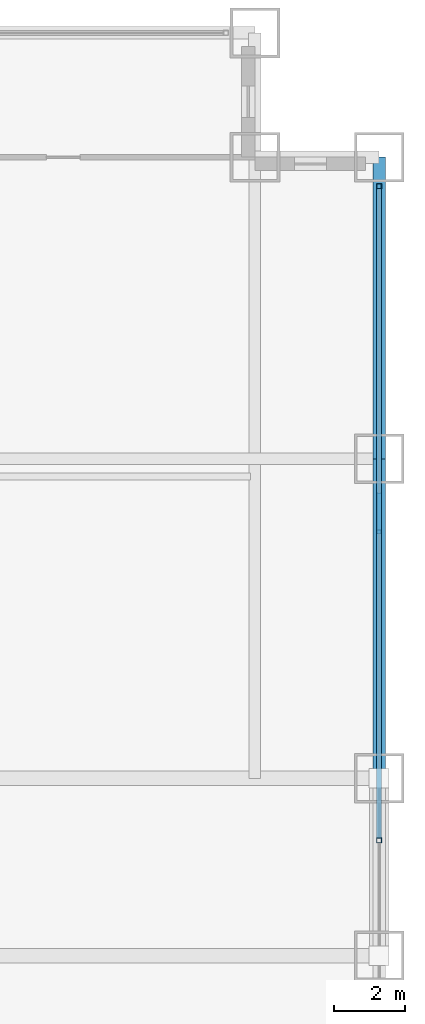
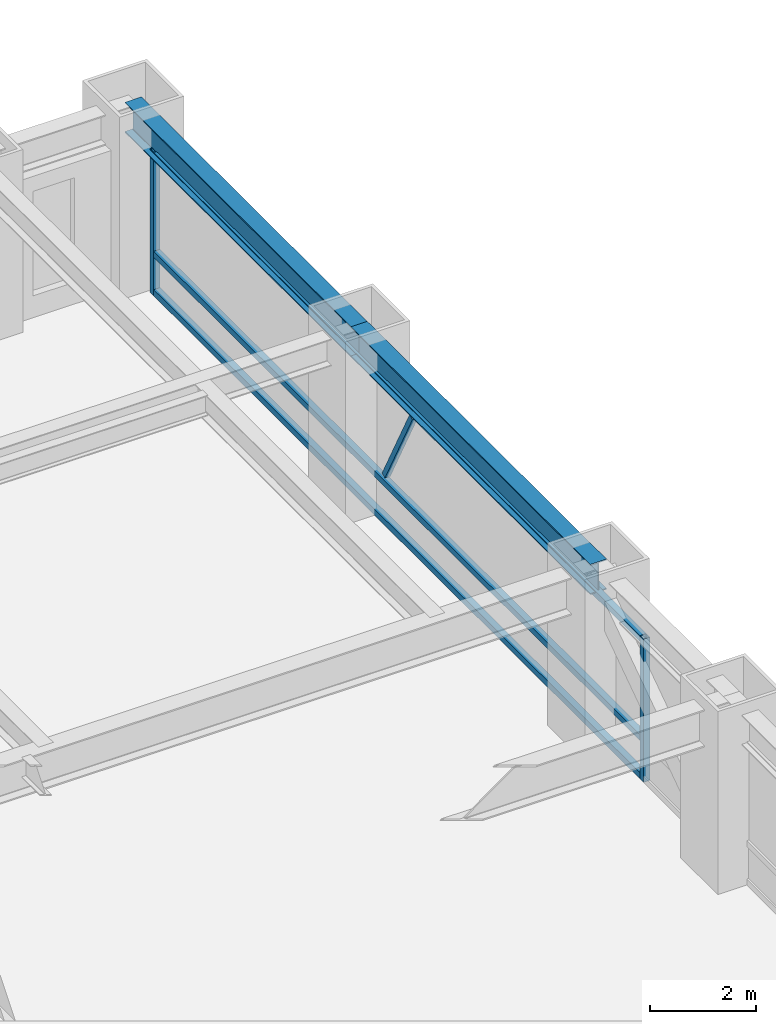
# One storey, part 18 of 28: 6 members, 2 beams, 1 element without a shape of its own.
"""IFC4 building model written with IfcOpenShell, lengths in metres."""

from ifc_helpers import new_model, si_unit, direction, frame, origin, origin_2d, place, context, subcontext, project, spatial, hollow_rectangle, i_section, extrude, source, transform, mapped, material, material_profile, profile_set, type_object, element, aggregate, save


model = new_model("IFC4")

# Units and contexts
model_context = context("Model", 3, precision=1e-05, world=origin(), true_north=direction((0.0, 1.0)))
body_context = subcontext(model_context, "Body", "Model", "MODEL_VIEW")
ifc_project = project(units=[si_unit("LENGTHUNIT", "METRE"), si_unit("AREAUNIT", "SQUARE_METRE"), si_unit("VOLUMEUNIT", "CUBIC_METRE"), si_unit("PLANEANGLEUNIT", "RADIAN"), si_unit("MASSUNIT", "GRAM", prefix="KILO")], contexts=[model_context])

# Site, building, storey
site_placement = place(None, origin())
site = spatial("IfcSite", under=ifc_project, at=site_placement, CompositionType="ELEMENT")
building_placement = place(site_placement, origin())
building = spatial("IfcBuilding", under=site, at=building_placement, Name="Khorayat Bourse Tower", CompositionType="ELEMENT")
storey_placement = place(building_placement, frame((0.0, 0.0, 62.0)))
storey = spatial("IfcBuildingStorey", under=building, at=storey_placement, Name="L13", CompositionType="ELEMENT", Elevation=62.0)

# Beams
ifc_material_1 = material(Name="Steel ASTM A992 Grade 50", Category="steel")
ifc_material_profile_1 = material_profile(ifc_material_1, i_section(OverallWidth=0.35498046875, OverallDepth=0.695068359375, WebThickness=0.015380859375, FlangeThickness=0.02490234375, FilletRadius=0.01806640625, at=origin_2d()), Name="W690X217")
ifc_profile_set_1 = profile_set([ifc_material_profile_1], Name="Steel ASTM A992 Grade 50")
beam_type = type_object("IfcBeamType", Name="BM-SPAN-690", PredefinedType="SPANDREL", material=ifc_profile_set_1)
shared_shape_1 = source(origin(), body_context, "Body", "SweptSolid", [
    extrude(i_section(OverallWidth=0.35498046875, OverallDepth=0.695068359375, WebThickness=0.015380859375, FlangeThickness=0.02490234375, FilletRadius=0.01806640625, at=origin_2d()), origin(), (0.0, 0.0, 1.0), 8.5),
])
beam_1_placement = place(storey_placement, frame((32.0, 20.0, 3.592529296875), z_axis=(0.0, 1.0, 0.0), x_axis=(-1.0, 0.0, 0.0)))
element("IfcBeam", 1, at=beam_1_placement, inside=storey, type_object=beam_type, Name="L13 BM-SPAN-690 BM-L13-SPN-041", PredefinedType="SPANDREL", context=body_context, shape_type="MappedRepresentation", body=[
    mapped(shared_shape_1, transform((0.0, 0.0, 0.0), scale=1.0)),
])
shared_shape_2 = source(origin(), body_context, "Body", "SweptSolid", [
    extrude(i_section(OverallWidth=0.35498046875, OverallDepth=0.695068359375, WebThickness=0.015380859375, FlangeThickness=0.02490234375, FilletRadius=0.01806640625, at=origin_2d()), origin(), (0.0, 0.0, 1.0), 9.0),
])
beam_2_placement = place(storey_placement, frame((32.0, 11.0, 3.592529296875), z_axis=(0.0, 1.0, 0.0), x_axis=(-1.0, 0.0, 0.0)))
element("IfcBeam", 2, at=beam_2_placement, inside=storey, type_object=beam_type, Name="L13 BM-SPAN-690 BM-L13-SPN-040", PredefinedType="SPANDREL", context=body_context, shape_type="MappedRepresentation", body=[
    mapped(shared_shape_2, transform((0.0, 0.0, 0.0), scale=1.0)),
])

# Curtain wall, members
ifc_material_2 = material(Name="Aluminium EN AW-6063 T6", Category="aluminium")
curtain_wall_type = type_object("IfcCurtainWallType", Name="CW-SYS-02", PredefinedType="NOTDEFINED", material=ifc_material_2)
curtain_wall_placement = place(storey_placement, origin())
curtain_wall = element("IfcCurtainWall", 3, at=curtain_wall_placement, inside=storey, type_object=curtain_wall_type, Name="L13 Curtain Wall CW-L13-E1", PredefinedType="NOTDEFINED")
ifc_material_profile_2 = material_profile(ifc_material_2, hollow_rectangle(XDim=0.139892578125, YDim=0.139892578125, WallThickness=0.006103515625, at=origin_2d()), Name="ALU 140x140x6")
ifc_profile_set_2 = profile_set([ifc_material_profile_2], Name="Aluminium EN AW-6063 T6")
member_type_1 = type_object("IfcMemberType", Name="CWT-HORZ-140", PredefinedType="USERDEFINED", material=ifc_profile_set_2)
shared_shape_3 = source(origin(), body_context, "Body", "SweptSolid", [
    extrude(hollow_rectangle(XDim=0.139892578125, YDim=0.139892578125, WallThickness=0.006103515625, at=origin_2d()), origin(), (0.0, 0.0, 1.0), 18.2900390625),
])
member_1_placement = place(storey_placement, frame((32.0, 9.320068359375, 0.070068359375), z_axis=(0.0, 1.0, 0.0), x_axis=(-1.0, 0.0, 0.0)))
member_1 = element("IfcMember", 4, at=member_1_placement, type_object=member_type_1, Name="CW-L13-E1 Horizontal Transom 3-1", ObjectType="TRANSOM", PredefinedType="USERDEFINED", context=body_context, shape_type="MappedRepresentation", body=[
    mapped(shared_shape_3, transform((0.0, 0.0, 0.0), scale=1.0)),
])
member_2_placement = place(storey_placement, frame((32.0, 9.320068359375, 0.949951171875), z_axis=(0.0, 1.0, 0.0), x_axis=(-1.0, 0.0, 0.0)))
member_2 = element("IfcMember", 5, at=member_2_placement, type_object=member_type_1, Name="CW-L13-E1 Horizontal Transom 3-2", ObjectType="TRANSOM", PredefinedType="USERDEFINED", context=body_context, shape_type="MappedRepresentation", body=[
    mapped(shared_shape_3, transform((0.0, 0.0, 0.0), scale=1.0)),
])
member_3_placement = place(storey_placement, frame((32.0, 9.320068359375, 3.219970703125), z_axis=(0.0, 1.0, 0.0), x_axis=(-1.0, 0.0, 0.0)))
member_3 = element("IfcMember", 6, at=member_3_placement, type_object=member_type_1, Name="CW-L13-E1 Horizontal Transom 3-3", ObjectType="TRANSOM", PredefinedType="USERDEFINED", context=body_context, shape_type="MappedRepresentation", body=[
    mapped(shared_shape_3, transform((0.0, 0.0, 0.0), scale=1.0)),
])
ifc_material_profile_3 = material_profile(ifc_material_2, hollow_rectangle(XDim=0.1201171875, YDim=0.1201171875, WallThickness=0.0048828125, at=origin_2d()), Name="ALU 120x120x5")
ifc_profile_set_3 = profile_set([ifc_material_profile_3], Name="Aluminium EN AW-6063 T6")
member_type_2 = type_object("IfcMemberType", Name="CWM-DIAG-120", PredefinedType="MULLION", material=ifc_profile_set_3)
shared_shape_4 = source(origin(), body_context, "Body", "SweptSolid", [
    extrude(hollow_rectangle(XDim=0.1201171875, YDim=0.1201171875, WallThickness=0.0048828125, at=origin_2d()), origin(), (0.0, 0.0, 1.0), 2.22607421875),
])
member_4_placement = place(storey_placement, frame((32.0, 18.9833984375, 1.10009765625), z_axis=(0.0, -0.465759992596, 0.884911085532), x_axis=(1.0, 0.0, 0.0)))
member_4 = element("IfcMember", 7, at=member_4_placement, type_object=member_type_2, Name="CW-L13-E1 Faceted Diagonal Mullion 3", PredefinedType="MULLION", context=body_context, shape_type="MappedRepresentation", body=[
    mapped(shared_shape_4, transform((0.0, 0.0, 0.0), scale=1.0)),
])
ifc_material_profile_4 = material_profile(ifc_material_2, hollow_rectangle(XDim=0.139892578125, YDim=0.139892578125, WallThickness=0.006103515625, at=origin_2d()), Name="ALU 140x140x6")
ifc_profile_set_4 = profile_set([ifc_material_profile_4], Name="Aluminium EN AW-6063 T6")
member_type_3 = type_object("IfcMemberType", Name="CWM-VERT-140", PredefinedType="MULLION", material=ifc_profile_set_4)
shared_shape_5 = source(origin(), body_context, "Body", "SweptSolid", [
    extrude(hollow_rectangle(XDim=0.139892578125, YDim=0.139892578125, WallThickness=0.006103515625, at=origin_2d()), origin(), (0.0, 0.0, 1.0), 3.2900390625),
])
member_5_placement = place(storey_placement, frame((32.0, 9.25, 0.0), z_axis=(0.0, 0.0, 1.0), x_axis=(-1.0, 0.0, 0.0)))
member_5 = element("IfcMember", 8, at=member_5_placement, type_object=member_type_3, Name="CW-L13-E1 Vertical Mullion 3", PredefinedType="MULLION", context=body_context, shape_type="MappedRepresentation", body=[
    mapped(shared_shape_5, transform((0.0, 0.0, 0.0), scale=1.0)),
])
member_6_placement = place(storey_placement, frame((32.0, 27.679931640625, 0.0), z_axis=(0.0, 0.0, 1.0), x_axis=(-1.0, 0.0, 0.0)))
member_6 = element("IfcMember", 9, at=member_6_placement, type_object=member_type_3, Name="CW-L13-E1 Vertical Mullion 4", PredefinedType="MULLION", context=body_context, shape_type="MappedRepresentation", body=[
    mapped(shared_shape_5, transform((0.0, 0.0, 0.0), scale=1.0)),
])
aggregate(curtain_wall, [member_5, member_6, member_1, member_2, member_3, member_4])

save(model, "model.ifc")
